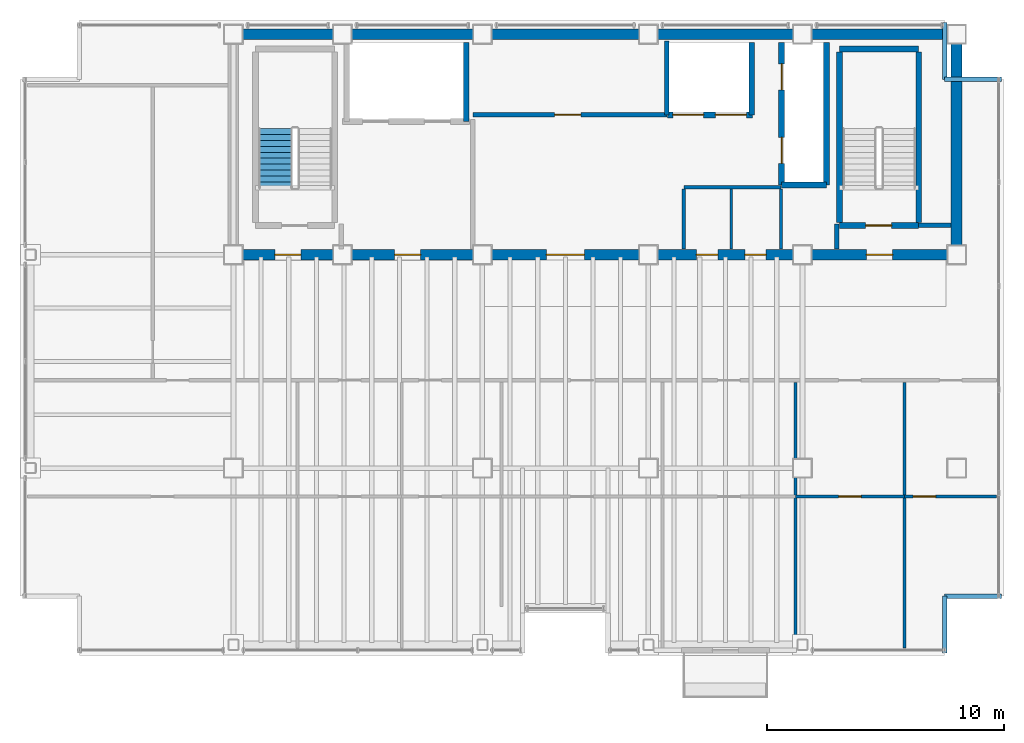
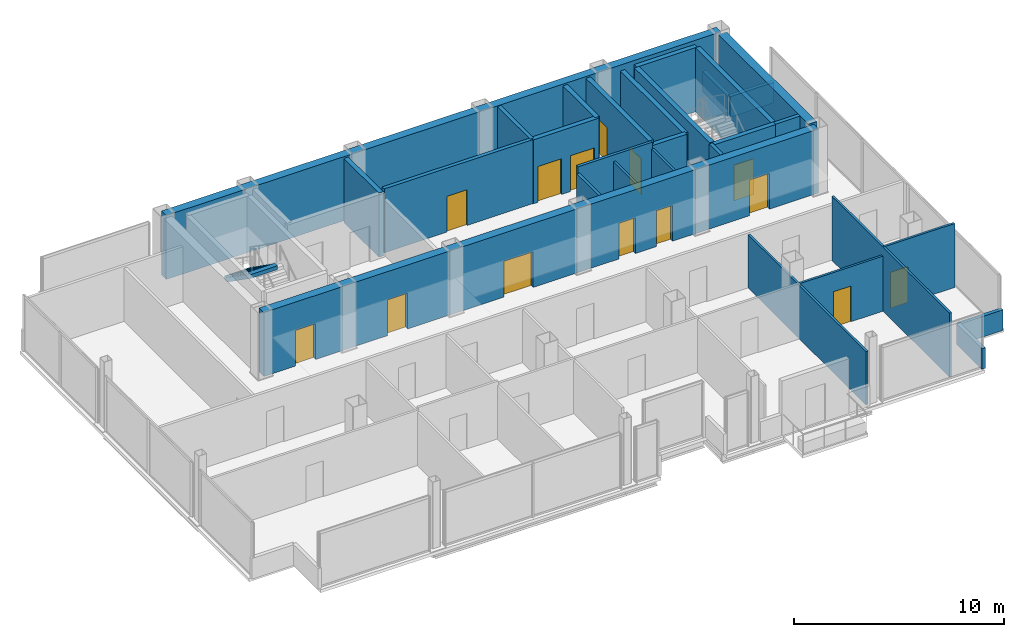
# One storey, part 15 of 17: 29 walls, 14 doors, 1 stair flight, 14 openings, 1 element without a shape of its own.
"""IFC4 building model written with IfcOpenShell, lengths in metres."""

import ifcopenshell
import ifcopenshell.guid

model = None  # the IFC model being written
_history = None  # IfcOwnerHistory: only IFC2X3 demands one
_inside = {}  # id of a spatial element -> (the spatial element, [elements in it])
_under = {}  # id of a project, library or spatial element -> (it, [spatial elements below it])
_declared = {}  # id of a project -> (the project, [libraries it declares])
_typed = {}  # id of a type object -> (the type object, [elements of that type])
_made_of = {}  # id of a material, layer set ... -> (it, [elements and type objects made of it])


def new_model(schema):
    """Start an empty IFC model of exactly this schema.

    Asked for "IFC4X3", IfcOpenShell would pick the latest addendum, in which some entities
    have other attributes; the version numbers below select the first issue.
    IFC2X3 requires an IfcOwnerHistory on every rooted entity: one is made here for all.
    """
    global model, _history
    if schema == "IFC4X3":
        model = ifcopenshell.file(schema_version=(4, 3, 0, 0))
    else:
        model = ifcopenshell.file(schema=schema)
    _inside.clear()
    _under.clear()
    _declared.clear()
    _typed.clear()
    _made_of.clear()
    _history = None
    if model.schema == "IFC2X3":
        org = make("IfcOrganization", Name="unknown")
        user = make(
            "IfcPersonAndOrganization",
            ThePerson=make("IfcPerson", FamilyName="unknown"),
            TheOrganization=org,
        )
        app = make(
            "IfcApplication",
            ApplicationDeveloper=org,
            Version="unknown",
            ApplicationFullName="unknown",
            ApplicationIdentifier="unknown",
        )
        _history = make(
            "IfcOwnerHistory",
            OwningUser=user,
            OwningApplication=app,
            ChangeAction="ADDED",
            CreationDate=0,
        )
    return model


def make(cls, **values):
    """One entity of the class cls with the attributes given. An attribute that is None is left unset."""
    return model.create_entity(
        cls, **{name: value for name, value in values.items() if value is not None}
    )


def rooted(cls, **values):
    """An entity with a GlobalId (a new one), such as an element, a storey or a relation."""
    return make(cls, GlobalId=ifcopenshell.guid.new(), OwnerHistory=_history, **values)


def si_unit(unit_type, name, prefix=None):
    """IfcSIUnit, for example si_unit("LENGTHUNIT", "METRE", prefix="MILLI")."""
    return make("IfcSIUnit", UnitType=unit_type, Prefix=prefix, Name=name)


def assignment(units):
    """IfcUnitAssignment: the units of a project."""
    return None if units is None else make("IfcUnitAssignment", Units=units)


def point(xyz):
    """IfcCartesianPoint."""
    return None if xyz is None else make("IfcCartesianPoint", Coordinates=xyz)


def direction(xyz):
    """IfcDirection."""
    return None if xyz is None else make("IfcDirection", DirectionRatios=xyz)


def frame(location, z_axis=None, x_axis=None):
    """IfcAxis2Placement3D, a coordinate frame: its origin and axes. An axis left out is left unset."""
    return make(
        "IfcAxis2Placement3D",
        Location=point(location),
        Axis=direction(z_axis),
        RefDirection=direction(x_axis),
    )


def frame_2d(location, x_axis=None):
    """IfcAxis2Placement2D, a coordinate frame in the plane: its origin and x axis."""
    return make(
        "IfcAxis2Placement2D", Location=point(location), RefDirection=direction(x_axis)
    )


def origin():
    """The frame at (0, 0, 0) with its axes left unset."""
    return frame((0.0, 0.0, 0.0))


def place(relative_to, where):
    """IfcLocalPlacement: puts the frame where relative to a parent placement (None: the world)."""
    return make(
        "IfcLocalPlacement", PlacementRelTo=relative_to, RelativePlacement=where
    )


def context(
    kind, dimensions, precision=None, world=None, true_north=None, identifier=None
):
    """IfcGeometricRepresentationContext, for example the 3D "Model" context."""
    return make(
        "IfcGeometricRepresentationContext",
        ContextIdentifier=identifier,
        ContextType=kind,
        CoordinateSpaceDimension=dimensions,
        Precision=precision,
        WorldCoordinateSystem=world,
        TrueNorth=true_north,
    )


def subcontext(parent, identifier, kind, view, scale=None):
    """IfcGeometricRepresentationSubContext, for example "Body" below "Model"."""
    return make(
        "IfcGeometricRepresentationSubContext",
        ContextIdentifier=identifier,
        ContextType=kind,
        ParentContext=parent,
        TargetScale=scale,
        TargetView=view,
    )


def project(units=None, contexts=None):
    """IfcProject with its units and contexts."""
    return rooted(
        "IfcProject",
        Name="project",
        RepresentationContexts=contexts,
        UnitsInContext=assignment(units),
    )


def spatial(cls, under=None, at=None, **own):
    """A site, building, storey or space (cls), placed at a placement, below another one or the project."""
    s = rooted(cls, ObjectPlacement=at, **own)
    if under is not None:
        _under.setdefault(under.id(), (under, []))[1].append(s)
    return s


def polyline(points):
    """IfcPolyline through the points."""
    return make("IfcPolyline", Points=[point(p) for p in points])


def profile(cls, at=None, kind="AREA", **sizes):
    """A parametric profile (cls). Its sizes go by their IFC names, for example OverallWidth=200.0."""
    return make(cls, ProfileType=kind, Position=at, **sizes)


def rectangle(**sizes):
    """IfcRectangleProfileDef."""
    return profile("IfcRectangleProfileDef", **sizes)


def outline(outer, holes=None, kind="AREA"):
    """IfcArbitraryClosedProfileDef: a profile drawn as a closed curve; with holes, ...WithVoids."""
    if holes is None:
        return make("IfcArbitraryClosedProfileDef", ProfileType=kind, OuterCurve=outer)
    return make(
        "IfcArbitraryProfileDefWithVoids",
        ProfileType=kind,
        OuterCurve=outer,
        InnerCurves=holes,
    )


def extrude(swept, where, along, depth):
    """IfcExtrudedAreaSolid: the profile swept, set in the frame where, extruded along a direction by depth."""
    return make(
        "IfcExtrudedAreaSolid",
        SweptArea=swept,
        Position=where,
        ExtrudedDirection=direction(along),
        Depth=depth,
    )


def shape(context_of_items, identifier, shape_type, items):
    """IfcShapeRepresentation: the items that make up one representation, for example the "Body"."""
    return make(
        "IfcShapeRepresentation",
        ContextOfItems=context_of_items,
        RepresentationIdentifier=identifier,
        RepresentationType=shape_type,
        Items=items,
    )


def material(Name=None, Category=None):
    """IfcMaterial."""
    return make("IfcMaterial", Name=Name, Category=Category)


def layer(
    of_material, thickness, ventilated=None, Name=None, Category=None, Priority=None
):
    """IfcMaterialLayer: one layer of a wall or slab, of a material (None: an air gap)."""
    return make(
        "IfcMaterialLayer",
        Material=of_material,
        LayerThickness=thickness,
        IsVentilated=ventilated,
        Name=Name,
        Category=Category,
        Priority=Priority,
    )


def layer_set(layers, Name=None):
    """IfcMaterialLayerSet."""
    return make("IfcMaterialLayerSet", MaterialLayers=layers, LayerSetName=Name)


def made_of(thing, what):
    """Note that an element or type object is made of a material, layer set ...; save() writes the relation."""
    if what is not None:
        _made_of.setdefault(what.id(), (what, []))[1].append(thing)
    return thing


def type_object(cls, material=None, **own):
    """A type object (cls), such as IfcWallType, which elements share."""
    return made_of(rooted(cls, **own), material)


def element(
    cls,
    number,
    at=None,
    inside=None,
    cuts=None,
    type_object=None,
    material=None,
    context=None,
    identifier="Body",
    shape_type=None,
    held_by="IfcProductDefinitionShape",
    body=None,
    shapes=None,
    **own,
):
    """One element of the class cls, such as IfcWall. Its Tag is "e" and its number.

    at: its placement. inside: the storey or other place that contains it. cuts: it is an
    opening in that element (IfcRelVoidsElement). A single representation is given by context,
    identifier, shape_type and body (its items); several are given by shapes. held_by: the class
    of the entity that holds the representations. save() writes the other relations.
    """
    e = rooted(cls, Tag="e%d" % number, ObjectPlacement=at, **own)
    if body is not None:
        shapes = [shape(context, identifier, shape_type, body)]
    if shapes is not None:
        e.Representation = make(held_by, Representations=shapes)
    if inside is not None:
        _inside.setdefault(inside.id(), (inside, []))[1].append(e)
    if cuts is not None:
        rooted(
            "IfcRelVoidsElement", RelatingBuildingElement=cuts, RelatedOpeningElement=e
        )
    if type_object is not None:
        _typed.setdefault(type_object.id(), (type_object, []))[1].append(e)
    return made_of(e, material)


def fill(opening, filler):
    """IfcRelFillsElement: the door or window that sits in an opening."""
    return rooted(
        "IfcRelFillsElement",
        RelatingOpeningElement=opening,
        RelatedBuildingElement=filler,
    )


def aggregate(whole, parts):
    """IfcRelAggregates: a whole, such as a stair, and the parts it consists of."""
    return rooted("IfcRelAggregates", RelatingObject=whole, RelatedObjects=parts)


def save(model, path):
    """Write the relations noted so far, then the file.

    IfcRelAggregates (storeys below a building ...), IfcRelContainedInSpatialStructure (elements
    in a storey), IfcRelDefinesByType, IfcRelAssociatesMaterial and IfcRelDeclares: one each for
    every whole, place, type object, material and project.
    """
    for whole, parts in _under.values():
        aggregate(whole, parts)
    for where, things in _inside.values():
        rooted(
            "IfcRelContainedInSpatialStructure",
            RelatedElements=things,
            RelatingStructure=where,
        )
    for kind, things in _typed.values():
        rooted("IfcRelDefinesByType", RelatedObjects=things, RelatingType=kind)
    for what, things in _made_of.values():
        rooted("IfcRelAssociatesMaterial", RelatedObjects=things, RelatingMaterial=what)
    for by, libraries in _declared.values():
        rooted("IfcRelDeclares", RelatingContext=by, RelatedDefinitions=libraries)
    model.write(path)


model = new_model("IFC4")

# Units and contexts
model_context = context("Model", 3, precision=1e-05, world=origin(), true_north=direction((0.0, 1.0)))
body_context = subcontext(model_context, "Body", "Model", "MODEL_VIEW")
ifc_project = project(units=[si_unit("LENGTHUNIT", "METRE"), si_unit("AREAUNIT", "SQUARE_METRE"), si_unit("VOLUMEUNIT", "CUBIC_METRE"), si_unit("PLANEANGLEUNIT", "RADIAN"), si_unit("MASSUNIT", "GRAM", prefix="KILO")], contexts=[model_context])

# Site, building, storey
site_placement = place(None, origin())
site = spatial("IfcSite", under=ifc_project, at=site_placement, CompositionType="ELEMENT")
building_placement = place(site_placement, origin())
building = spatial("IfcBuilding", under=site, at=building_placement, Name="Noeulbin Bourse Tower", CompositionType="ELEMENT")
storey_placement = place(building_placement, frame((0.0, 0.0, 242.300048828125)))
storey = spatial("IfcBuildingStorey", under=building, at=storey_placement, Name="L60", CompositionType="ELEMENT", Elevation=242.300048828125)

# Wall, openings, doors
ifc_material_1 = material(Name="Concrete C50/60", Category="concrete")
ifc_layer_1 = layer(ifc_material_1, 0.449951171875)
ifc_layer_set_1 = layer_set([ifc_layer_1], Name="Concrete C50/60")
wall_type_1 = type_object("IfcWallType", Name="WAL-CORE-450", PredefinedType="SHEAR", material=ifc_layer_set_1)
wall_1_placement = place(storey_placement, frame((13.5, 29.0, 0.0), z_axis=(0.0, 0.0, 1.0), x_axis=(1.0, 0.0, 0.0)))
wall_1 = element("IfcWall", 1, at=wall_1_placement, inside=storey, type_object=wall_type_1, Name="Rear Core South Shear Wall L60", PredefinedType="SHEAR", context=body_context, shape_type="SweptSolid", body=[
    extrude(rectangle(XDim=30.5, YDim=0.449951171875, at=frame_2d((15.25, 0.0))), origin(), (0.0, 0.0, 1.0), 3.719970703125),
])
opening_1_placement = place(wall_1_placement, frame((1.75, 0.0, 0.0)))
opening_1 = element("IfcOpeningElement", 2, at=opening_1_placement, cuts=wall_1, Name="Opening FD-11", PredefinedType="OPENING", context=body_context, shape_type="SweptSolid", body=[
    extrude(rectangle(XDim=1.10009765625, YDim=2.080078125, at=frame_2d((0.550048828125, 1.0400390625))), frame((0.0, 0.23486328125, 0.0), z_axis=(0.0, -1.0, 0.0), x_axis=(1.0, 0.0, 0.0)), (0.0, 0.0, 1.0), 0.469970703125),
])
opening_2_placement = place(wall_1_placement, frame((26.699951171875, 0.0, 0.0)))
opening_2 = element("IfcOpeningElement", 3, at=opening_2_placement, cuts=wall_1, Name="Opening FD-11", PredefinedType="OPENING", context=body_context, shape_type="SweptSolid", body=[
    extrude(rectangle(XDim=1.10009765625, YDim=2.080078125, at=frame_2d((0.550048828125, 1.0400390625))), frame((0.0, 0.23486328125, 0.0), z_axis=(0.0, -1.0, 0.0), x_axis=(1.0, 0.0, 0.0)), (0.0, 0.0, 1.0), 0.469970703125),
])
opening_3_placement = place(wall_1_placement, frame((6.800048828125, 0.0, 0.0)))
opening_3 = element("IfcOpeningElement", 4, at=opening_3_placement, cuts=wall_1, Name="Opening FD-11", PredefinedType="OPENING", context=body_context, shape_type="SweptSolid", body=[
    extrude(rectangle(XDim=1.10009765625, YDim=2.080078125, at=frame_2d((0.550048828125, 1.0400390625))), frame((0.0, 0.23486328125, 0.0), z_axis=(0.0, -1.0, 0.0), x_axis=(1.0, 0.0, 0.0)), (0.0, 0.0, 1.0), 0.469970703125),
])
opening_4_placement = place(wall_1_placement, frame((13.199951171875, 0.0, 0.0)))
opening_4 = element("IfcOpeningElement", 5, at=opening_4_placement, cuts=wall_1, Name="Opening ID-16", PredefinedType="OPENING", context=body_context, shape_type="SweptSolid", body=[
    extrude(rectangle(XDim=1.60009765625, YDim=2.080078125, at=frame_2d((0.800048828125, 1.0400390625))), frame((0.0, 0.23486328125, 0.0), z_axis=(0.0, -1.0, 0.0), x_axis=(1.0, 0.0, 0.0)), (0.0, 0.0, 1.0), 0.469970703125),
])
opening_5_placement = place(wall_1_placement, frame((19.530029296875, 0.0, 0.0)))
opening_5 = element("IfcOpeningElement", 6, at=opening_5_placement, cuts=wall_1, Name="Opening FD-09", PredefinedType="OPENING", context=body_context, shape_type="SweptSolid", body=[
    extrude(rectangle(XDim=0.89990234375, YDim=2.080078125, at=frame_2d((0.449951171875, 1.0400390625))), frame((0.0, 0.23486328125, 0.0), z_axis=(0.0, -1.0, 0.0), x_axis=(1.0, 0.0, 0.0)), (0.0, 0.0, 1.0), 0.469970703125),
])
opening_6_placement = place(wall_1_placement, frame((21.570068359375, 0.0, 0.0)))
opening_6 = element("IfcOpeningElement", 7, at=opening_6_placement, cuts=wall_1, Name="Opening FD-09", PredefinedType="OPENING", context=body_context, shape_type="SweptSolid", body=[
    extrude(rectangle(XDim=0.89990234375, YDim=2.080078125, at=frame_2d((0.449951171875, 1.0400390625))), frame((0.0, 0.23486328125, 0.0), z_axis=(0.0, -1.0, 0.0), x_axis=(1.0, 0.0, 0.0)), (0.0, 0.0, 1.0), 0.469970703125),
])
ifc_material_2 = material(Name="Acoustic Glazed Aluminium", Category="aluminium")
door_type_1 = type_object("IfcDoorType", Name="DR-DBL-1600", OperationType="DOUBLE_DOOR_SINGLE_SWING", PredefinedType="DOOR", material=ifc_material_2)
door_1_placement = place(opening_4_placement, origin())
door_1 = element("IfcDoor", 8, at=door_1_placement, inside=storey, type_object=door_type_1, Name="Passenger Lift Lobby Portal L60", OperationType="DOUBLE_DOOR_SINGLE_SWING", OverallHeight=2.080078125, OverallWidth=1.60009765625, PredefinedType="DOOR", context=body_context, shape_type="SweptSolid", body=[
    extrude(rectangle(XDim=1.60009765625, YDim=2.080078125, at=frame_2d((0.800048828125, 1.0400390625))), frame((0.0, 0.02490234375, 0.0), z_axis=(0.0, -1.0, 0.0), x_axis=(1.0, 0.0, 0.0)), (0.0, 0.0, 1.0), 0.050048828125),
])
fill(opening_4, door_1)
ifc_material_3 = material(Name="Fire-Rated Timber Core", Category="wood")
door_type_2 = type_object("IfcDoorType", Name="DR-FD30-900", OperationType="SINGLE_SWING_RIGHT", PredefinedType="DOOR", material=ifc_material_3)
door_2_placement = place(opening_5_placement, origin())
door_2 = element("IfcDoor", 9, at=door_2_placement, inside=storey, type_object=door_type_2, Name="Interior Door L60-06", OperationType="SINGLE_SWING_RIGHT", OverallHeight=2.080078125, OverallWidth=0.89990234375, PredefinedType="DOOR", context=body_context, shape_type="SweptSolid", body=[
    extrude(rectangle(XDim=0.89990234375, YDim=2.080078125, at=frame_2d((0.449951171875, 1.0400390625))), frame((0.0, 0.02490234375, 0.0), z_axis=(0.0, -1.0, 0.0), x_axis=(1.0, 0.0, 0.0)), (0.0, 0.0, 1.0), 0.050048828125),
])
fill(opening_5, door_2)
door_3_placement = place(opening_6_placement, origin())
door_3 = element("IfcDoor", 10, at=door_3_placement, inside=storey, type_object=door_type_2, Name="Interior Door L60-07", OperationType="SINGLE_SWING_LEFT", OverallHeight=2.080078125, OverallWidth=0.89990234375, PredefinedType="DOOR", context=body_context, shape_type="SweptSolid", body=[
    extrude(rectangle(XDim=0.89990234375, YDim=2.080078125, at=frame_2d((0.449951171875, 1.0400390625))), frame((0.0, 0.02490234375, 0.0), z_axis=(0.0, -1.0, 0.0), x_axis=(1.0, 0.0, 0.0)), (0.0, 0.0, 1.0), 0.050048828125),
])
fill(opening_6, door_3)
ifc_material_4 = material(Name="Fire-Rated Insulated Steel", Category="steel")
door_type_3 = type_object("IfcDoorType", Name="DR-FD60-1100", OperationType="SINGLE_SWING_LEFT", PredefinedType="DOOR", material=ifc_material_4)
door_4_placement = place(opening_1_placement, origin())
door_4 = element("IfcDoor", 11, at=door_4_placement, inside=storey, type_object=door_type_3, Name="West Stair Lobby Door L60", OperationType="SINGLE_SWING_LEFT", OverallHeight=2.080078125, OverallWidth=1.10009765625, PredefinedType="DOOR", context=body_context, shape_type="SweptSolid", body=[
    extrude(rectangle(XDim=1.10009765625, YDim=2.080078125, at=frame_2d((0.550048828125, 1.0400390625))), frame((0.0, 0.02490234375, 0.0), z_axis=(0.0, -1.0, 0.0), x_axis=(1.0, 0.0, 0.0)), (0.0, 0.0, 1.0), 0.050048828125),
])
fill(opening_1, door_4)
door_5_placement = place(opening_2_placement, origin())
door_5 = element("IfcDoor", 12, at=door_5_placement, inside=storey, type_object=door_type_3, Name="East Stair Lobby Door L60", OperationType="SINGLE_SWING_RIGHT", OverallHeight=2.080078125, OverallWidth=1.10009765625, PredefinedType="DOOR", context=body_context, shape_type="SweptSolid", body=[
    extrude(rectangle(XDim=1.10009765625, YDim=2.080078125, at=frame_2d((0.550048828125, 1.0400390625))), frame((0.0, 0.02490234375, 0.0), z_axis=(0.0, -1.0, 0.0), x_axis=(1.0, 0.0, 0.0)), (0.0, 0.0, 1.0), 0.050048828125),
])
fill(opening_2, door_5)
door_6_placement = place(opening_3_placement, origin())
door_6 = element("IfcDoor", 13, at=door_6_placement, inside=storey, type_object=door_type_3, Name="Firefighting Lobby Door L60", OperationType="SINGLE_SWING_LEFT", OverallHeight=2.080078125, OverallWidth=1.10009765625, PredefinedType="DOOR", context=body_context, shape_type="SweptSolid", body=[
    extrude(rectangle(XDim=1.10009765625, YDim=2.080078125, at=frame_2d((0.550048828125, 1.0400390625))), frame((0.0, 0.02490234375, 0.0), z_axis=(0.0, -1.0, 0.0), x_axis=(1.0, 0.0, 0.0)), (0.0, 0.0, 1.0), 0.050048828125),
])
fill(opening_3, door_6)

# Walls
wall_2_placement = place(storey_placement, frame((13.5, 38.300048828125, 0.0), z_axis=(0.0, 0.0, 1.0), x_axis=(1.0, 0.0, 0.0)))
element("IfcWall", 14, at=wall_2_placement, inside=storey, type_object=wall_type_1, Name="Rear Core North Shear Wall L60", PredefinedType="SHEAR", context=body_context, shape_type="SweptSolid", body=[
    extrude(rectangle(XDim=30.5, YDim=0.449951171875, at=frame_2d((15.25, 0.0))), origin(), (0.0, 0.0, 1.0), 3.719970703125),
])
wall_3_placement = place(storey_placement, frame((44.0, 29.35009765625, 0.0), z_axis=(0.0, 0.0, 1.0), x_axis=(0.0, 1.0, 0.0)))
element("IfcWall", 15, at=wall_3_placement, inside=storey, type_object=wall_type_1, Name="Rear Core East Shear Wall L60", PredefinedType="SHEAR", context=body_context, shape_type="SweptSolid", body=[
    extrude(rectangle(XDim=8.599853515625, YDim=0.449951171875, at=frame_2d((4.2998046875, 0.0))), origin(), (0.0, 0.0, 1.0), 3.719970703125),
])
ifc_material_5 = material(Name="Concrete C40/50", Category="concrete")
ifc_layer_2 = layer(ifc_material_5, 0.199951171875)
ifc_layer_set_2 = layer_set([ifc_layer_2], Name="Concrete C40/50")
wall_type_2 = type_object("IfcWallType", Name="WAL-FIRE-200", PredefinedType="STANDARD", material=ifc_layer_set_2)
wall_4_placement = place(storey_placement, frame((42.39990234375, 30.239990234375, 0.0), z_axis=(0.0, 0.0, 1.0), x_axis=(1.0, 0.0, 0.0)))
element("IfcWall", 16, at=wall_4_placement, inside=storey, type_object=wall_type_2, Name="Interior Partition Wall L60-01", PredefinedType="STANDARD", context=body_context, shape_type="SweptSolid", body=[
    extrude(rectangle(XDim=1.364990234375, YDim=0.199951171875, at=frame_2d((0.6826171875, 0.0))), origin(), (0.0, 0.0, 1.0), 3.719970703125),
])

# Wall, opening, door
wall_5_placement = place(storey_placement, frame((23.60009765625, 34.89990234375, 0.0), z_axis=(0.0, 0.0, 1.0), x_axis=(1.0, 0.0, 0.0)))
wall_5 = element("IfcWall", 17, at=wall_5_placement, inside=storey, type_object=wall_type_2, Name="Interior Partition Wall L60-02", PredefinedType="STANDARD", context=body_context, shape_type="SweptSolid", body=[
    extrude(rectangle(XDim=8.179931640625, YDim=0.199951171875, at=frame_2d((4.08984375, 0.0))), origin(), (0.0, 0.0, 1.0), 3.719970703125),
])
opening_7_placement = place(wall_5_placement, frame((3.449951171875, 0.0, 0.0)))
opening_7 = element("IfcOpeningElement", 18, at=opening_7_placement, cuts=wall_5, Name="Opening FD-11", PredefinedType="OPENING", context=body_context, shape_type="SweptSolid", body=[
    extrude(rectangle(XDim=1.10009765625, YDim=2.080078125, at=frame_2d((0.550048828125, 1.0400390625))), frame((0.0, 0.10986328125, 0.0), z_axis=(0.0, -1.0, 0.0), x_axis=(1.0, 0.0, 0.0)), (0.0, 0.0, 1.0), 0.219970703125),
])
door_7_placement = place(opening_7_placement, origin())
door_7 = element("IfcDoor", 19, at=door_7_placement, inside=storey, type_object=door_type_3, Name="Telemetry Server Door L60", OperationType="SINGLE_SWING_LEFT", OverallHeight=2.080078125, OverallWidth=1.10009765625, PredefinedType="DOOR", context=body_context, shape_type="SweptSolid", body=[
    extrude(rectangle(XDim=1.10009765625, YDim=2.080078125, at=frame_2d((0.550048828125, 1.0400390625))), frame((0.0, 0.02490234375, 0.0), z_axis=(0.0, -1.0, 0.0), x_axis=(1.0, 0.0, 0.0)), (0.0, 0.0, 1.0), 0.050048828125),
])
fill(opening_7, door_7)

# Walls
wall_6_placement = place(storey_placement, frame((38.949951171875, 29.235107421875, 0.0), z_axis=(0.0, 0.0, 1.0), x_axis=(0.0, 1.0, 0.0)))
element("IfcWall", 20, at=wall_6_placement, inside=storey, type_object=wall_type_2, Name="Interior Partition Wall L60-14", PredefinedType="STANDARD", context=body_context, shape_type="SweptSolid", body=[
    extrude(rectangle(XDim=1.06494140625, YDim=0.199951171875, at=frame_2d((0.532470703125, 0.0))), origin(), (0.0, 0.0, 1.0), 3.719970703125),
])
ifc_layer_3 = layer(ifc_material_5, 0.199951171875)
ifc_layer_set_3 = layer_set([ifc_layer_3], Name="Concrete C40/50")
wall_type_3 = type_object("IfcWallType", Name="WAL-PAR-200", PredefinedType="PARAPET", material=ifc_layer_set_3)
wall_7_placement = place(storey_placement, frame((43.5, 12.199951171875, 0.0), z_axis=(0.0, 0.0, 1.0), x_axis=(0.0, 1.0, 0.0)))
element("IfcWall", 21, at=wall_7_placement, inside=storey, type_object=wall_type_3, Name="Corner Notch Parapet L60-SE1", PredefinedType="PARAPET", context=body_context, shape_type="SweptSolid", body=[
    extrude(rectangle(XDim=2.400146484375, YDim=0.199951171875, at=frame_2d((1.2001953125, 0.0))), origin(), (0.0, 0.0, 1.0), 1.199951171875),
])
wall_8_placement = place(storey_placement, frame((43.5, 14.60009765625, 0.0), z_axis=(0.0, 0.0, 1.0), x_axis=(1.0, 0.0, 0.0)))
element("IfcWall", 22, at=wall_8_placement, inside=storey, type_object=wall_type_3, Name="Corner Notch Parapet L60-SE2", PredefinedType="PARAPET", context=body_context, shape_type="SweptSolid", body=[
    extrude(rectangle(XDim=2.39990234375, YDim=0.199951171875, at=frame_2d((1.199951171875, 0.0))), origin(), (0.0, 0.0, 1.0), 1.199951171875),
])
wall_9_placement = place(storey_placement, frame((43.5, 38.800048828125, 0.0), z_axis=(0.0, 0.0, 1.0), x_axis=(0.0, -1.0, 0.0)))
element("IfcWall", 23, at=wall_9_placement, inside=storey, type_object=wall_type_3, Name="Corner Notch Parapet L60-NE1", PredefinedType="PARAPET", context=body_context, shape_type="SweptSolid", body=[
    extrude(rectangle(XDim=2.400146484375, YDim=0.199951171875, at=frame_2d((1.2001953125, 0.0))), origin(), (0.0, 0.0, 1.0), 1.199951171875),
])
wall_10_placement = place(storey_placement, frame((43.5, 36.39990234375, 0.0), z_axis=(0.0, 0.0, 1.0), x_axis=(1.0, 0.0, 0.0)))
element("IfcWall", 24, at=wall_10_placement, inside=storey, type_object=wall_type_3, Name="Corner Notch Parapet L60-NE2", PredefinedType="PARAPET", context=body_context, shape_type="SweptSolid", body=[
    extrude(rectangle(XDim=2.39990234375, YDim=0.199951171875, at=frame_2d((1.199951171875, 0.0))), origin(), (0.0, 0.0, 1.0), 1.199951171875),
])

# Wall, opening, door
ifc_material_6 = material(Name="Steel Stud Gypsum Partition", Category="steel")
ifc_layer_4 = layer(ifc_material_6, 0.1201171875)
ifc_layer_set_4 = layer_set([ifc_layer_4], Name="Steel Stud Gypsum Partition")
wall_type_4 = type_object("IfcWallType", Name="WAL-PRT-120", PredefinedType="PARTITIONING", material=ifc_layer_set_4)
wall_11_placement = place(storey_placement, frame((37.199951171875, 18.800048828125, 0.0), z_axis=(0.0, 0.0, 1.0), x_axis=(1.0, 0.0, 0.0)))
wall_11 = element("IfcWall", 25, at=wall_11_placement, inside=storey, type_object=wall_type_4, Name="Interior Partition Wall L60-11", PredefinedType="PARTITIONING", context=body_context, shape_type="SweptSolid", body=[
    extrude(rectangle(XDim=4.60009765625, YDim=0.1201171875, at=frame_2d((2.300048828125, 0.0))), origin(), (0.0, 0.0, 1.0), 3.199951171875),
])
opening_8_placement = place(wall_11_placement, frame((1.824951171875, 0.0, 0.0)))
opening_8 = element("IfcOpeningElement", 26, at=opening_8_placement, cuts=wall_11, Name="Opening ID-09", PredefinedType="OPENING", context=body_context, shape_type="SweptSolid", body=[
    extrude(rectangle(XDim=0.949951171875, YDim=2.080078125, at=frame_2d((0.47509765625, 1.0400390625))), frame((0.0, 0.070068359375, 0.0), z_axis=(0.0, -1.0, 0.0), x_axis=(1.0, 0.0, 0.0)), (0.0, 0.0, 1.0), 0.14013671875),
])
ifc_material_7 = material(Name="Acoustic Solid-Core Timber", Category="wood")
door_type_4 = type_object("IfcDoorType", Name="DR-SINGLE-950", OperationType="SINGLE_SWING_LEFT", PredefinedType="DOOR", material=ifc_material_7)
door_8_placement = place(opening_8_placement, origin())
door_8 = element("IfcDoor", 27, at=door_8_placement, inside=storey, type_object=door_type_4, Name="Interior Door L60-18", OperationType="SINGLE_SWING_RIGHT", OverallHeight=2.080078125, OverallWidth=0.949951171875, PredefinedType="DOOR", context=body_context, shape_type="SweptSolid", body=[
    extrude(rectangle(XDim=0.949951171875, YDim=2.080078125, at=frame_2d((0.47509765625, 1.0400390625))), frame((0.0, 0.02490234375, 0.0), z_axis=(0.0, -1.0, 0.0), x_axis=(1.0, 0.0, 0.0)), (0.0, 0.0, 1.0), 0.050048828125),
])
fill(opening_8, door_8)

wall_12_placement = place(storey_placement, frame((41.800048828125, 18.800048828125, 0.0), z_axis=(0.0, 0.0, 1.0), x_axis=(1.0, 0.0, 0.0)))
wall_12 = element("IfcWall", 28, at=wall_12_placement, inside=storey, type_object=wall_type_4, Name="Interior Partition Wall L60-12", PredefinedType="PARTITIONING", context=body_context, shape_type="SweptSolid", body=[
    extrude(rectangle(XDim=3.889892578125, YDim=0.1201171875, at=frame_2d((1.94482421875, 0.0))), origin(), (0.0, 0.0, 1.0), 3.719970703125),
])
opening_9_placement = place(wall_12_placement, frame((0.3701171875, 0.0, 0.0)))
opening_9 = element("IfcOpeningElement", 29, at=opening_9_placement, cuts=wall_12, Name="Opening ID-09", PredefinedType="OPENING", context=body_context, shape_type="SweptSolid", body=[
    extrude(rectangle(XDim=0.949951171875, YDim=2.080078125, at=frame_2d((0.47509765625, 1.0400390625))), frame((0.0, 0.070068359375, 0.0), z_axis=(0.0, -1.0, 0.0), x_axis=(1.0, 0.0, 0.0)), (0.0, 0.0, 1.0), 0.14013671875),
])
door_9_placement = place(opening_9_placement, origin())
door_9 = element("IfcDoor", 30, at=door_9_placement, inside=storey, type_object=door_type_4, Name="Interior Door L60-20", OperationType="SINGLE_SWING_RIGHT", OverallHeight=2.080078125, OverallWidth=0.949951171875, PredefinedType="DOOR", context=body_context, shape_type="SweptSolid", body=[
    extrude(rectangle(XDim=0.949951171875, YDim=2.080078125, at=frame_2d((0.47509765625, 1.0400390625))), frame((0.0, 0.02490234375, 0.0), z_axis=(0.0, -1.0, 0.0), x_axis=(1.0, 0.0, 0.0)), (0.0, 0.0, 1.0), 0.050048828125),
])
fill(opening_9, door_9)

# Walls
for number, where, z_axis, x_axis, name in (
    (31, (36.60009765625, 29.235107421875, 0.0), (0.0, 0.0, 1.0), (0.0, 1.0, 0.0), "Interior Partition Wall L60-17"),
    (32, (34.5, 29.235107421875, 0.0), (0.0, 0.0, 1.0), (0.0, 1.0, 0.0), "Interior Partition Wall L60-18"),
):
    element("IfcWall", number, at=place(storey_placement, frame(where, z_axis=z_axis, x_axis=x_axis)), inside=storey, type_object=wall_type_4, Name=name, PredefinedType="PARTITIONING", context=body_context, shape_type="SweptSolid", body=[
        extrude(rectangle(XDim=2.52978515625, YDim=0.1201171875, at=frame_2d((1.264892578125, 0.0))), origin(), (0.0, 0.0, 1.0), 3.349853515625),
    ])
wall_13_placement = place(storey_placement, frame((37.199951171875, 12.409912109375, 0.0), z_axis=(0.0, 0.0, 1.0), x_axis=(0.0, 1.0, 0.0)))
element("IfcWall", 33, at=wall_13_placement, inside=storey, type_object=wall_type_4, Name="Interior Partition Wall L60-24", PredefinedType="PARTITIONING", context=body_context, shape_type="SweptSolid", body=[
    extrude(rectangle(XDim=11.205078125, YDim=0.1201171875, at=frame_2d((5.6025390625, 0.0))), origin(), (0.0, 0.0, 1.0), 3.099853515625),
])
wall_14_placement = place(storey_placement, frame((41.800048828125, 12.409912109375, 0.0), z_axis=(0.0, 0.0, 1.0), x_axis=(0.0, 1.0, 0.0)))
element("IfcWall", 34, at=wall_14_placement, inside=storey, type_object=wall_type_4, Name="Interior Partition Wall L60-25", PredefinedType="PARTITIONING", context=body_context, shape_type="SweptSolid", body=[
    extrude(rectangle(XDim=11.205078125, YDim=0.1201171875, at=frame_2d((5.6025390625, 0.0))), origin(), (0.0, 0.0, 1.0), 3.719970703125),
])
ifc_material_8 = material(Name="Steel Stud Acoustic Gypsum Board", Category="steel")
ifc_layer_5 = layer(ifc_material_8, 0.14990234375)
ifc_layer_set_5 = layer_set([ifc_layer_5], Name="Steel Stud Acoustic Gypsum Board")
wall_type_5 = type_object("IfcWallType", Name="WAL-PRT-150", PredefinedType="PARTITIONING", material=ifc_layer_set_5)
wall_15_placement = place(storey_placement, frame((32.5, 31.85009765625, 0.0), z_axis=(0.0, 0.0, 1.0), x_axis=(1.0, 0.0, 0.0)))
element("IfcWall", 35, at=wall_15_placement, inside=storey, type_object=wall_type_5, Name="Interior Partition Wall L60-03", PredefinedType="PARTITIONING", context=body_context, shape_type="SweptSolid", body=[
    extrude(rectangle(XDim=4.10009765625, YDim=0.14990234375, at=frame_2d((2.050048828125, 0.0))), origin(), (0.0, 0.0, 1.0), 3.719970703125),
])
wall_16_placement = place(storey_placement, frame((32.5, 29.235107421875, 0.0), z_axis=(0.0, 0.0, 1.0), x_axis=(0.0, 1.0, 0.0)))
element("IfcWall", 36, at=wall_16_placement, inside=storey, type_object=wall_type_5, Name="Interior Partition Wall L60-16", PredefinedType="PARTITIONING", context=body_context, shape_type="SweptSolid", body=[
    extrude(rectangle(XDim=2.52978515625, YDim=0.14990234375, at=frame_2d((1.264892578125, 0.0))), origin(), (0.0, 0.0, 1.0), 3.349853515625),
])

# Wall, opening, door
ifc_layer_6 = layer(ifc_material_5, 0.25)
ifc_layer_set_6 = layer_set([ifc_layer_6], Name="Concrete C40/50")
wall_type_6 = type_object("IfcWallType", Name="WAL-SHFT-250", PredefinedType="STANDARD", material=ifc_layer_set_6)
wall_17_placement = place(storey_placement, frame((39.06005859375, 30.235107421875, 0.0), z_axis=(0.0, 0.0, 1.0), x_axis=(1.0, 0.0, 0.0)))
wall_17 = element("IfcWall", 37, at=wall_17_placement, inside=storey, type_object=wall_type_6, Name="Stair ST-2 South Shaft Wall L60", PredefinedType="STANDARD", context=body_context, shape_type="SweptSolid", body=[
    extrude(rectangle(XDim=3.33984375, YDim=0.25, at=frame_2d((1.669921875, 0.0))), origin(), (0.0, 0.0, 1.0), 3.719970703125),
])
opening_10_placement = place(wall_17_placement, frame((1.10009765625, 0.0, 0.0)))
opening_10 = element("IfcOpeningElement", 38, at=opening_10_placement, cuts=wall_17, Name="Opening FD-11", PredefinedType="OPENING", context=body_context, shape_type="SweptSolid", body=[
    extrude(rectangle(XDim=1.10009765625, YDim=2.080078125, at=frame_2d((0.550048828125, 1.0400390625))), frame((0.0, 0.135009765625, 0.0), z_axis=(0.0, -1.0, 0.0), x_axis=(1.0, 0.0, 0.0)), (0.0, 0.0, 1.0), 0.27001953125),
])
door_10_placement = place(opening_10_placement, origin())
door_10 = element("IfcDoor", 39, at=door_10_placement, inside=storey, type_object=door_type_3, Name="Protected Stair Entry Door ST2-L60", OperationType="SINGLE_SWING_RIGHT", OverallHeight=2.080078125, OverallWidth=1.10009765625, PredefinedType="DOOR", context=body_context, shape_type="SweptSolid", body=[
    extrude(rectangle(XDim=1.10009765625, YDim=2.080078125, at=frame_2d((0.550048828125, 1.0400390625))), frame((0.0, 0.02490234375, 0.0), z_axis=(0.0, -1.0, 0.0), x_axis=(1.0, 0.0, 0.0)), (0.0, 0.0, 1.0), 0.050048828125),
])
fill(opening_10, door_10)

# Walls
wall_18_placement = place(storey_placement, frame((39.06005859375, 37.6689453125, 0.0), z_axis=(0.0, 0.0, 1.0), x_axis=(1.0, 0.0, 0.0)))
element("IfcWall", 40, at=wall_18_placement, inside=storey, type_object=wall_type_6, Name="Stair ST-2 North Shaft Wall L60", PredefinedType="STANDARD", context=body_context, shape_type="SweptSolid", body=[
    extrude(rectangle(XDim=3.33984375, YDim=0.25, at=frame_2d((1.669921875, 0.0))), origin(), (0.0, 0.0, 1.0), 3.719970703125),
])
for number, where, z_axis, x_axis, name in (
    (41, (39.054931640625, 30.360107421875, 0.0), (0.0, 0.0, 1.0), (0.0, 1.0, 0.0), "Stair ST-2 West Shaft Wall L60"),
    (42, (42.405029296875, 30.360107421875, 0.0), (0.0, 0.0, 1.0), (0.0, 1.0, 0.0), "Stair ST-2 East Shaft Wall L60"),
):
    element("IfcWall", number, at=place(storey_placement, frame(where, z_axis=z_axis, x_axis=x_axis)), inside=storey, type_object=wall_type_6, Name=name, PredefinedType="STANDARD", context=body_context, shape_type="SweptSolid", body=[
        extrude(rectangle(XDim=7.183837890625, YDim=0.25, at=frame_2d((3.591796875, 0.0))), origin(), (0.0, 0.0, 1.0), 3.719970703125),
    ])

# Wall, openings, doors
wall_19_placement = place(storey_placement, frame((36.6201171875, 31.949951171875, 0.0), z_axis=(0.0, 0.0, 1.0), x_axis=(0.0, 1.0, 0.0)))
wall_19 = element("IfcWall", 43, at=wall_19_placement, inside=storey, type_object=wall_type_6, Name="Service Lift Shaft Wall L60", PredefinedType="STANDARD", context=body_context, shape_type="SweptSolid", body=[
    extrude(rectangle(XDim=6.0, YDim=0.25, at=frame_2d((3.0, 0.0))), origin(), (0.0, 0.0, 1.0), 3.719970703125),
])
opening_11_placement = place(wall_19_placement, frame((0.89990234375, 0.0, 0.0)))
opening_11 = element("IfcOpeningElement", 44, at=opening_11_placement, cuts=wall_19, Name="Opening LD-11", PredefinedType="OPENING", context=body_context, shape_type="SweptSolid", body=[
    extrude(rectangle(XDim=1.10009765625, YDim=2.080078125, at=frame_2d((0.550048828125, 1.0400390625))), frame((0.0, 0.135009765625, 0.0), z_axis=(0.0, -1.0, 0.0), x_axis=(1.0, 0.0, 0.0)), (0.0, 0.0, 1.0), 0.27001953125),
])
opening_12_placement = place(wall_19_placement, frame((4.0, 0.0, 0.0)))
opening_12 = element("IfcOpeningElement", 45, at=opening_12_placement, cuts=wall_19, Name="Opening LD-11", PredefinedType="OPENING", context=body_context, shape_type="SweptSolid", body=[
    extrude(rectangle(XDim=1.10009765625, YDim=2.080078125, at=frame_2d((0.550048828125, 1.0400390625))), frame((0.0, 0.135009765625, 0.0), z_axis=(0.0, -1.0, 0.0), x_axis=(1.0, 0.0, 0.0)), (0.0, 0.0, 1.0), 0.27001953125),
])
ifc_material_9 = material(Name="Brushed Stainless Steel 316", Category="steel")
door_type_5 = type_object("IfcDoorType", Name="DR-LIFT-1100", OperationType="SLIDING_TO_LEFT", PredefinedType="DOOR", material=ifc_material_9)
door_11_placement = place(opening_11_placement, origin())
door_11 = element("IfcDoor", 46, at=door_11_placement, inside=storey, type_object=door_type_5, Name="Lift Landing Door LD-EL-01-L60", OperationType="SLIDING_TO_LEFT", OverallHeight=2.080078125, OverallWidth=1.10009765625, PredefinedType="DOOR", context=body_context, shape_type="SweptSolid", body=[
    extrude(rectangle(XDim=1.10009765625, YDim=2.080078125, at=frame_2d((0.550048828125, 1.0400390625))), frame((0.0, 0.02490234375, 0.0), z_axis=(0.0, -1.0, 0.0), x_axis=(1.0, 0.0, 0.0)), (0.0, 0.0, 1.0), 0.050048828125),
])
fill(opening_11, door_11)
door_12_placement = place(opening_12_placement, origin())
door_12 = element("IfcDoor", 47, at=door_12_placement, inside=storey, type_object=door_type_5, Name="Lift Landing Door LD-SV-01-L60", OperationType="SLIDING_TO_LEFT", OverallHeight=2.080078125, OverallWidth=1.10009765625, PredefinedType="DOOR", context=body_context, shape_type="SweptSolid", body=[
    extrude(rectangle(XDim=1.10009765625, YDim=2.080078125, at=frame_2d((0.550048828125, 1.0400390625))), frame((0.0, 0.02490234375, 0.0), z_axis=(0.0, -1.0, 0.0), x_axis=(1.0, 0.0, 0.0)), (0.0, 0.0, 1.0), 0.050048828125),
])
fill(opening_12, door_12)

# Walls
wall_20_placement = place(storey_placement, frame((38.52001953125, 31.949951171875, 0.0), z_axis=(0.0, 0.0, 1.0), x_axis=(0.0, 1.0, 0.0)))
element("IfcWall", 48, at=wall_20_placement, inside=storey, type_object=wall_type_6, Name="Service Lift East Shaft Wall L60", PredefinedType="STANDARD", context=body_context, shape_type="SweptSolid", body=[
    extrude(rectangle(XDim=6.0, YDim=0.25, at=frame_2d((3.0, 0.0))), origin(), (0.0, 0.0, 1.0), 3.47998046875),
])
wall_21_placement = place(storey_placement, frame((36.6201171875, 31.949951171875, 0.0), z_axis=(0.0, 0.0, 1.0), x_axis=(1.0, 0.0, 0.0)))
element("IfcWall", 49, at=wall_21_placement, inside=storey, type_object=wall_type_6, Name="Service Lift South Shaft Wall L60", PredefinedType="STANDARD", context=body_context, shape_type="SweptSolid", body=[
    extrude(rectangle(XDim=1.89990234375, YDim=0.25, at=frame_2d((0.949951171875, 0.0))), origin(), (0.0, 0.0, 1.0), 3.47998046875),
])
wall_22_placement = place(storey_placement, frame((23.320068359375, 34.6201171875, 0.0), z_axis=(0.0, 0.0, 1.0), x_axis=(0.0, 1.0, 0.0)))
element("IfcWall", 50, at=wall_22_placement, inside=storey, type_object=wall_type_6, Name="Firefighting Lift East Shaft Wall L60", PredefinedType="STANDARD", context=body_context, shape_type="SweptSolid", body=[
    extrude(rectangle(XDim=3.329833984375, YDim=0.25, at=frame_2d((1.6650390625, 0.0))), origin(), (0.0, 0.0, 1.0), 3.719970703125),
])
wall_23_placement = place(storey_placement, frame((35.360107421875, 34.89990234375, 0.0), z_axis=(0.0, 0.0, 1.0), x_axis=(0.0, 1.0, 0.0)))
element("IfcWall", 51, at=wall_23_placement, inside=storey, type_object=wall_type_6, Name="High-Rise Lift East Shaft Wall L60", PredefinedType="STANDARD", context=body_context, shape_type="SweptSolid", body=[
    extrude(rectangle(XDim=3.050048828125, YDim=0.25, at=frame_2d((1.52490234375, 0.0))), origin(), (0.0, 0.0, 1.0), 3.719970703125),
])

# Wall, openings, doors
wall_24_placement = place(storey_placement, frame((31.800048828125, 34.89990234375, 0.0), z_axis=(0.0, 0.0, 1.0), x_axis=(1.0, 0.0, 0.0)))
wall_24 = element("IfcWall", 52, at=wall_24_placement, inside=storey, type_object=wall_type_6, Name="High-Rise Lift Bank Front L60", PredefinedType="STANDARD", context=body_context, shape_type="SweptSolid", body=[
    extrude(rectangle(XDim=3.599853515625, YDim=0.25, at=frame_2d((1.7998046875, 0.0))), origin(), (0.0, 0.0, 1.0), 3.719970703125),
])
opening_13_placement = place(wall_24_placement, frame((0.22998046875, 0.0, 0.0)))
opening_13 = element("IfcOpeningElement", 53, at=opening_13_placement, cuts=wall_24, Name="Opening LD-13", PredefinedType="OPENING", context=body_context, shape_type="SweptSolid", body=[
    extrude(rectangle(XDim=1.300048828125, YDim=2.080078125, at=frame_2d((0.64990234375, 1.0400390625))), frame((0.0, 0.135009765625, 0.0), z_axis=(0.0, -1.0, 0.0), x_axis=(1.0, 0.0, 0.0)), (0.0, 0.0, 1.0), 0.27001953125),
])
opening_14_placement = place(wall_24_placement, frame((2.030029296875, 0.0, 0.0)))
opening_14 = element("IfcOpeningElement", 54, at=opening_14_placement, cuts=wall_24, Name="Opening LD-13", PredefinedType="OPENING", context=body_context, shape_type="SweptSolid", body=[
    extrude(rectangle(XDim=1.300048828125, YDim=2.080078125, at=frame_2d((0.64990234375, 1.0400390625))), frame((0.0, 0.135009765625, 0.0), z_axis=(0.0, -1.0, 0.0), x_axis=(1.0, 0.0, 0.0)), (0.0, 0.0, 1.0), 0.27001953125),
])
door_type_6 = type_object("IfcDoorType", Name="DR-LIFT-1300", OperationType="DOUBLE_DOOR_SLIDING", PredefinedType="DOOR", material=ifc_material_9)
door_13_placement = place(opening_13_placement, origin())
door_13 = element("IfcDoor", 55, at=door_13_placement, inside=storey, type_object=door_type_6, Name="Lift Landing Door LD-PL-H1-L60", OperationType="DOUBLE_DOOR_SLIDING", OverallHeight=2.080078125, OverallWidth=1.300048828125, PredefinedType="DOOR", context=body_context, shape_type="SweptSolid", body=[
    extrude(rectangle(XDim=1.300048828125, YDim=2.080078125, at=frame_2d((0.64990234375, 1.0400390625))), frame((0.0, 0.02490234375, 0.0), z_axis=(0.0, -1.0, 0.0), x_axis=(1.0, 0.0, 0.0)), (0.0, 0.0, 1.0), 0.050048828125),
])
fill(opening_13, door_13)
door_14_placement = place(opening_14_placement, origin())
door_14 = element("IfcDoor", 56, at=door_14_placement, inside=storey, type_object=door_type_6, Name="Lift Landing Door LD-PL-H2-L60", OperationType="DOUBLE_DOOR_SLIDING", OverallHeight=2.080078125, OverallWidth=1.300048828125, PredefinedType="DOOR", context=body_context, shape_type="SweptSolid", body=[
    extrude(rectangle(XDim=1.300048828125, YDim=2.080078125, at=frame_2d((0.64990234375, 1.0400390625))), frame((0.0, 0.02490234375, 0.0), z_axis=(0.0, -1.0, 0.0), x_axis=(1.0, 0.0, 0.0)), (0.0, 0.0, 1.0), 0.050048828125),
])
fill(opening_14, door_14)

# Wall
wall_25_placement = place(storey_placement, frame((31.780029296875, 34.89990234375, 0.0), z_axis=(0.0, 0.0, 1.0), x_axis=(0.0, 1.0, 0.0)))
element("IfcWall", 57, at=wall_25_placement, inside=storey, type_object=wall_type_6, Name="Hoistway Side Shaft Wall L60-PLHW", PredefinedType="STANDARD", context=body_context, shape_type="SweptSolid", body=[
    extrude(rectangle(XDim=3.1201171875, YDim=0.199951171875, at=frame_2d((1.56005859375, 0.0))), origin(), (0.0, 0.0, 1.0), 3.719970703125),
])

# Stair, stair flight
stair_type = type_object("IfcStairType", Name="STR-CORE-1560", PredefinedType="HALF_TURN_STAIR", material=ifc_material_5)
stair_placement = place(storey_placement, origin())
stair = element("IfcStair", 58, at=stair_placement, inside=storey, type_object=stair_type, Name="L60 ST-1", PredefinedType="HALF_TURN_STAIR")
stair_flight_type = type_object("IfcStairFlightType", Name="SFL-CORE-1560", PredefinedType="STRAIGHT", material=ifc_material_5)
stair_flight_placement = place(storey_placement, frame((15.27490234375, 34.330078125, 1.949951171875), z_axis=(0.0, 0.0, 1.0), x_axis=(0.0, -1.0, 0.0)))
stair_flight = element("IfcStairFlight", 59, at=stair_flight_placement, type_object=stair_flight_type, Name="ST-1 flight 2", NumberOfRisers=11, NumberOfTreads=10, PredefinedType="STRAIGHT", RiserHeight=0.177272727, TreadLength=0.252, context=body_context, shape_type="SweptSolid", body=[
    extrude(outline(polyline([(0.0, 0.0), (0.0, 0.17724609375), (0.251953125, 0.17724609375), (0.251953125, 0.3544921875), (0.50390625, 0.3544921875), (0.50390625, 0.53173828125), (0.756103515625, 0.53173828125), (0.756103515625, 0.708984375), (1.008056640625, 0.708984375), (1.008056640625, 0.886474609375), (1.260009765625, 0.886474609375), (1.260009765625, 1.063720703125), (1.511962890625, 1.063720703125), (1.511962890625, 1.240966796875), (1.763916015625, 1.240966796875), (1.763916015625, 1.418212890625), (2.01611328125, 1.418212890625), (2.01611328125, 1.595458984375), (2.26806640625, 1.595458984375), (2.26806640625, 1.772705078125), (2.52001953125, 1.772705078125), (2.52001953125, 1.949951171875), (2.52001953125, 1.552734375), (0.312744140625, 0.0), (0.0, 0.0)])), frame((0.0, 0.72509765625, 0.0), z_axis=(0.0, -1.0, 0.0), x_axis=(1.0, 0.0, 0.0)), (0.0, 0.0, 1.0), 1.449951171875),
])
aggregate(stair, [stair_flight])

save(model, "model.ifc")
